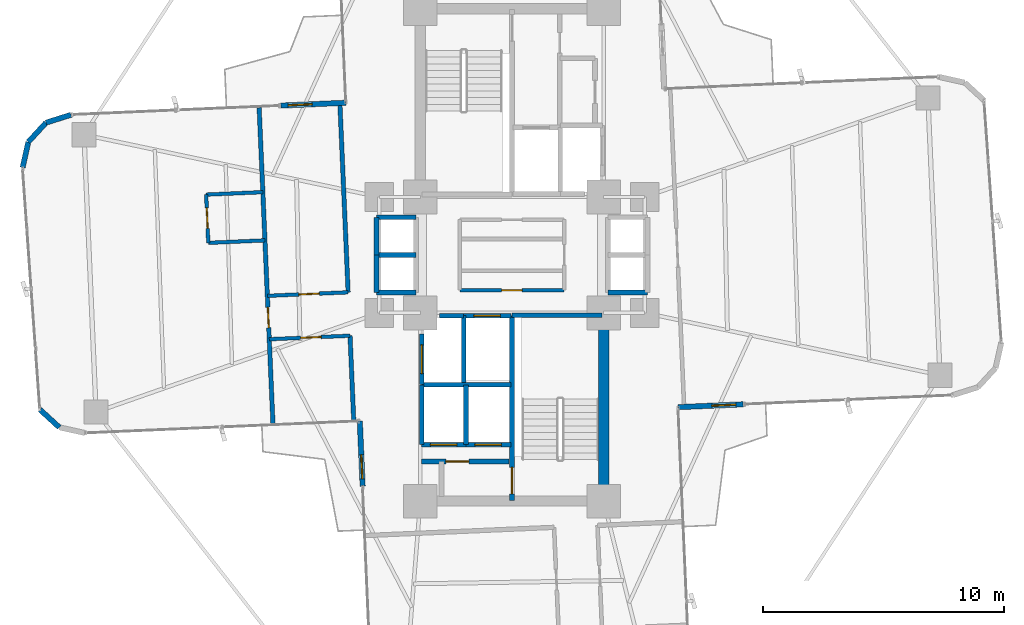
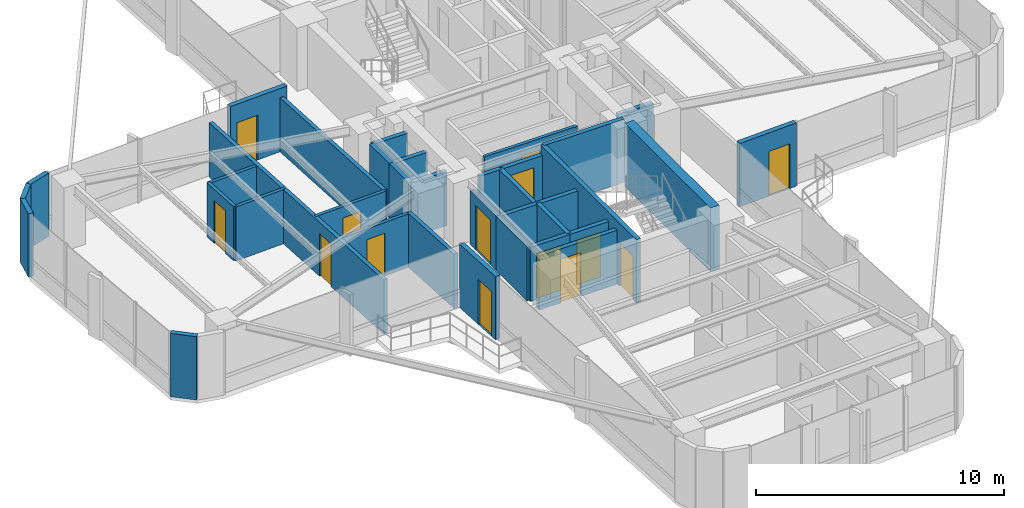
# One storey, part 23 of 26: 35 walls, 14 doors, 14 openings.
"""IFC4 building model written with IfcOpenShell, lengths in metres."""

import ifcopenshell
import ifcopenshell.guid

model = None  # the IFC model being written
_history = None  # IfcOwnerHistory: only IFC2X3 demands one
_inside = {}  # id of a spatial element -> (the spatial element, [elements in it])
_under = {}  # id of a project, library or spatial element -> (it, [spatial elements below it])
_declared = {}  # id of a project -> (the project, [libraries it declares])
_typed = {}  # id of a type object -> (the type object, [elements of that type])
_made_of = {}  # id of a material, layer set ... -> (it, [elements and type objects made of it])


def new_model(schema):
    """Start an empty IFC model of exactly this schema.

    Asked for "IFC4X3", IfcOpenShell would pick the latest addendum, in which some entities
    have other attributes; the version numbers below select the first issue.
    IFC2X3 requires an IfcOwnerHistory on every rooted entity: one is made here for all.
    """
    global model, _history
    if schema == "IFC4X3":
        model = ifcopenshell.file(schema_version=(4, 3, 0, 0))
    else:
        model = ifcopenshell.file(schema=schema)
    _inside.clear()
    _under.clear()
    _declared.clear()
    _typed.clear()
    _made_of.clear()
    _history = None
    if model.schema == "IFC2X3":
        org = make("IfcOrganization", Name="unknown")
        user = make(
            "IfcPersonAndOrganization",
            ThePerson=make("IfcPerson", FamilyName="unknown"),
            TheOrganization=org,
        )
        app = make(
            "IfcApplication",
            ApplicationDeveloper=org,
            Version="unknown",
            ApplicationFullName="unknown",
            ApplicationIdentifier="unknown",
        )
        _history = make(
            "IfcOwnerHistory",
            OwningUser=user,
            OwningApplication=app,
            ChangeAction="ADDED",
            CreationDate=0,
        )
    return model


def make(cls, **values):
    """One entity of the class cls with the attributes given. An attribute that is None is left unset."""
    return model.create_entity(
        cls, **{name: value for name, value in values.items() if value is not None}
    )


def rooted(cls, **values):
    """An entity with a GlobalId (a new one), such as an element, a storey or a relation."""
    return make(cls, GlobalId=ifcopenshell.guid.new(), OwnerHistory=_history, **values)


def si_unit(unit_type, name, prefix=None):
    """IfcSIUnit, for example si_unit("LENGTHUNIT", "METRE", prefix="MILLI")."""
    return make("IfcSIUnit", UnitType=unit_type, Prefix=prefix, Name=name)


def assignment(units):
    """IfcUnitAssignment: the units of a project."""
    return None if units is None else make("IfcUnitAssignment", Units=units)


def point(xyz):
    """IfcCartesianPoint."""
    return None if xyz is None else make("IfcCartesianPoint", Coordinates=xyz)


def direction(xyz):
    """IfcDirection."""
    return None if xyz is None else make("IfcDirection", DirectionRatios=xyz)


def frame(location, z_axis=None, x_axis=None):
    """IfcAxis2Placement3D, a coordinate frame: its origin and axes. An axis left out is left unset."""
    return make(
        "IfcAxis2Placement3D",
        Location=point(location),
        Axis=direction(z_axis),
        RefDirection=direction(x_axis),
    )


def frame_2d(location, x_axis=None):
    """IfcAxis2Placement2D, a coordinate frame in the plane: its origin and x axis."""
    return make(
        "IfcAxis2Placement2D", Location=point(location), RefDirection=direction(x_axis)
    )


def origin():
    """The frame at (0, 0, 0) with its axes left unset."""
    return frame((0.0, 0.0, 0.0))


def origin_2d():
    """The frame at (0, 0) in the plane with its x axis left unset."""
    return frame_2d((0.0, 0.0))


def place(relative_to, where):
    """IfcLocalPlacement: puts the frame where relative to a parent placement (None: the world)."""
    return make(
        "IfcLocalPlacement", PlacementRelTo=relative_to, RelativePlacement=where
    )


def context(
    kind, dimensions, precision=None, world=None, true_north=None, identifier=None
):
    """IfcGeometricRepresentationContext, for example the 3D "Model" context."""
    return make(
        "IfcGeometricRepresentationContext",
        ContextIdentifier=identifier,
        ContextType=kind,
        CoordinateSpaceDimension=dimensions,
        Precision=precision,
        WorldCoordinateSystem=world,
        TrueNorth=true_north,
    )


def subcontext(parent, identifier, kind, view, scale=None):
    """IfcGeometricRepresentationSubContext, for example "Body" below "Model"."""
    return make(
        "IfcGeometricRepresentationSubContext",
        ContextIdentifier=identifier,
        ContextType=kind,
        ParentContext=parent,
        TargetScale=scale,
        TargetView=view,
    )


def project(units=None, contexts=None):
    """IfcProject with its units and contexts."""
    return rooted(
        "IfcProject",
        Name="project",
        RepresentationContexts=contexts,
        UnitsInContext=assignment(units),
    )


def spatial(cls, under=None, at=None, **own):
    """A site, building, storey or space (cls), placed at a placement, below another one or the project."""
    s = rooted(cls, ObjectPlacement=at, **own)
    if under is not None:
        _under.setdefault(under.id(), (under, []))[1].append(s)
    return s


def profile(cls, at=None, kind="AREA", **sizes):
    """A parametric profile (cls). Its sizes go by their IFC names, for example OverallWidth=200.0."""
    return make(cls, ProfileType=kind, Position=at, **sizes)


def rectangle(**sizes):
    """IfcRectangleProfileDef."""
    return profile("IfcRectangleProfileDef", **sizes)


def extrude(swept, where, along, depth):
    """IfcExtrudedAreaSolid: the profile swept, set in the frame where, extruded along a direction by depth."""
    return make(
        "IfcExtrudedAreaSolid",
        SweptArea=swept,
        Position=where,
        ExtrudedDirection=direction(along),
        Depth=depth,
    )


def shape(context_of_items, identifier, shape_type, items):
    """IfcShapeRepresentation: the items that make up one representation, for example the "Body"."""
    return make(
        "IfcShapeRepresentation",
        ContextOfItems=context_of_items,
        RepresentationIdentifier=identifier,
        RepresentationType=shape_type,
        Items=items,
    )


def source(mapping_origin, context_of_items, identifier, shape_type, items):
    """IfcRepresentationMap: a shape defined once, which mapped items show again and again."""
    return make(
        "IfcRepresentationMap",
        MappingOrigin=mapping_origin,
        MappedRepresentation=shape(context_of_items, identifier, shape_type, items),
    )


def transform(
    local_origin,
    x_axis=None,
    y_axis=None,
    z_axis=None,
    scale=None,
    scale2=None,
    scale3=None,
    uniform=True,
):
    """IfcCartesianTransformationOperator3D, or its non-uniform kind. x_axis, y_axis, z_axis: its Axis1, 2, 3."""
    if uniform:
        return make(
            "IfcCartesianTransformationOperator3D",
            Axis1=direction(x_axis),
            Axis2=direction(y_axis),
            LocalOrigin=point(local_origin),
            Scale=scale,
            Axis3=direction(z_axis),
        )
    return make(
        "IfcCartesianTransformationOperator3DnonUniform",
        Axis1=direction(x_axis),
        Axis2=direction(y_axis),
        LocalOrigin=point(local_origin),
        Scale=scale,
        Axis3=direction(z_axis),
        Scale2=scale2,
        Scale3=scale3,
    )


def mapped(mapping_source, mapping_target):
    """IfcMappedItem: shows the shape of a source again, moved by a transform."""
    return make(
        "IfcMappedItem", MappingSource=mapping_source, MappingTarget=mapping_target
    )


def material(Name=None, Category=None):
    """IfcMaterial."""
    return make("IfcMaterial", Name=Name, Category=Category)


def layer(
    of_material, thickness, ventilated=None, Name=None, Category=None, Priority=None
):
    """IfcMaterialLayer: one layer of a wall or slab, of a material (None: an air gap)."""
    return make(
        "IfcMaterialLayer",
        Material=of_material,
        LayerThickness=thickness,
        IsVentilated=ventilated,
        Name=Name,
        Category=Category,
        Priority=Priority,
    )


def layer_set(layers, Name=None):
    """IfcMaterialLayerSet."""
    return make("IfcMaterialLayerSet", MaterialLayers=layers, LayerSetName=Name)


def made_of(thing, what):
    """Note that an element or type object is made of a material, layer set ...; save() writes the relation."""
    if what is not None:
        _made_of.setdefault(what.id(), (what, []))[1].append(thing)
    return thing


def type_object(cls, material=None, **own):
    """A type object (cls), such as IfcWallType, which elements share."""
    return made_of(rooted(cls, **own), material)


def element(
    cls,
    number,
    at=None,
    inside=None,
    cuts=None,
    type_object=None,
    material=None,
    context=None,
    identifier="Body",
    shape_type=None,
    held_by="IfcProductDefinitionShape",
    body=None,
    shapes=None,
    **own,
):
    """One element of the class cls, such as IfcWall. Its Tag is "e" and its number.

    at: its placement. inside: the storey or other place that contains it. cuts: it is an
    opening in that element (IfcRelVoidsElement). A single representation is given by context,
    identifier, shape_type and body (its items); several are given by shapes. held_by: the class
    of the entity that holds the representations. save() writes the other relations.
    """
    e = rooted(cls, Tag="e%d" % number, ObjectPlacement=at, **own)
    if body is not None:
        shapes = [shape(context, identifier, shape_type, body)]
    if shapes is not None:
        e.Representation = make(held_by, Representations=shapes)
    if inside is not None:
        _inside.setdefault(inside.id(), (inside, []))[1].append(e)
    if cuts is not None:
        rooted(
            "IfcRelVoidsElement", RelatingBuildingElement=cuts, RelatedOpeningElement=e
        )
    if type_object is not None:
        _typed.setdefault(type_object.id(), (type_object, []))[1].append(e)
    return made_of(e, material)


def fill(opening, filler):
    """IfcRelFillsElement: the door or window that sits in an opening."""
    return rooted(
        "IfcRelFillsElement",
        RelatingOpeningElement=opening,
        RelatedBuildingElement=filler,
    )


def aggregate(whole, parts):
    """IfcRelAggregates: a whole, such as a stair, and the parts it consists of."""
    return rooted("IfcRelAggregates", RelatingObject=whole, RelatedObjects=parts)


def save(model, path):
    """Write the relations noted so far, then the file.

    IfcRelAggregates (storeys below a building ...), IfcRelContainedInSpatialStructure (elements
    in a storey), IfcRelDefinesByType, IfcRelAssociatesMaterial and IfcRelDeclares: one each for
    every whole, place, type object, material and project.
    """
    for whole, parts in _under.values():
        aggregate(whole, parts)
    for where, things in _inside.values():
        rooted(
            "IfcRelContainedInSpatialStructure",
            RelatedElements=things,
            RelatingStructure=where,
        )
    for kind, things in _typed.values():
        rooted("IfcRelDefinesByType", RelatedObjects=things, RelatingType=kind)
    for what, things in _made_of.values():
        rooted("IfcRelAssociatesMaterial", RelatedObjects=things, RelatingMaterial=what)
    for by, libraries in _declared.values():
        rooted("IfcRelDeclares", RelatingContext=by, RelatedDefinitions=libraries)
    model.write(path)


model = new_model("IFC4")

# Units and contexts
model_context = context("Model", 3, precision=1e-05, world=origin(), true_north=direction((0.0, 1.0)))
body_context = subcontext(model_context, "Body", "Model", "MODEL_VIEW")
ifc_project = project(units=[si_unit("LENGTHUNIT", "METRE"), si_unit("AREAUNIT", "SQUARE_METRE"), si_unit("VOLUMEUNIT", "CUBIC_METRE"), si_unit("PLANEANGLEUNIT", "RADIAN"), si_unit("MASSUNIT", "GRAM", prefix="KILO")], contexts=[model_context])

# Site, building, storey
site_placement = place(None, origin())
site = spatial("IfcSite", under=ifc_project, at=site_placement, CompositionType="ELEMENT")
building_placement = place(site_placement, origin())
building = spatial("IfcBuilding", under=site, at=building_placement, Name="Sahyath Konkavel Grand Hotel", CompositionType="ELEMENT")
storey_placement = place(building_placement, frame((0.0, 0.0, 96.89990234375)))
storey = spatial("IfcBuildingStorey", under=building, at=storey_placement, Name="L26", CompositionType="ELEMENT", Elevation=96.89990234375)

# Wall
ifc_material_1 = material(Name="Concrete C50/60", Category="concrete")
ifc_layer_1 = layer(ifc_material_1, 0.419921875)
ifc_layer_set_1 = layer_set([ifc_layer_1], Name="Concrete C50/60")
wall_type_1 = type_object("IfcWallType", Name="CWALL-420", PredefinedType="SHEAR", material=ifc_layer_set_1)
wall_1_placement = place(storey_placement, frame((3.800048828125, -9.75, 0.0), z_axis=(0.0, 0.0, 1.0), x_axis=(0.0, 1.0, 0.0)))
element("IfcWall", 1, at=wall_1_placement, inside=storey, type_object=wall_type_1, Name="L26 South Core Shear Wall E", PredefinedType="SHEAR", context=body_context, shape_type="SweptSolid", body=[
    extrude(rectangle(XDim=6.89990234375, YDim=0.419921875, at=frame_2d((3.449951171875, 0.0))), origin(), (0.0, 0.0, 1.0), 3.110107421875),
])

# Wall, opening, door
ifc_material_2 = material(Name="Warm Buff Sandstone Insulated Concrete C40/50", Category="masonry")
ifc_layer_2 = layer(ifc_material_2, 0.219970703125)
ifc_layer_set_2 = layer_set([ifc_layer_2], Name="Warm Buff Sandstone Insulated Concrete C40/50")
wall_type_2 = type_object("IfcWallType", Name="WLL-BALC-THRESH", PredefinedType="STANDARD", material=ifc_layer_set_2)
wall_2_placement = place(storey_placement, frame((6.881591796875, -6.305908203125, 0.0), z_axis=(0.0, 0.0, 1.0), x_axis=(0.999045894436, 0.043672655174, 0.0)))
wall_2 = element("IfcWall", 2, at=wall_2_placement, inside=storey, type_object=wall_type_2, Name="L26 Winter-Garden Threshold Wall 0", PredefinedType="STANDARD", context=body_context, shape_type="SweptSolid", body=[
    extrude(rectangle(XDim=2.7001953125, YDim=0.219970703125, at=frame_2d((1.35009765625, 0.0))), origin(), (0.0, 0.0, 1.0), 3.110107421875),
])
opening_1_placement = place(wall_2_placement, frame((1.39990234375, 0.0, 0.0)))
opening_1 = element("IfcOpeningElement", 3, at=opening_1_placement, cuts=wall_2, Name="Opening D-TR1", PredefinedType="OPENING", context=body_context, shape_type="SweptSolid", body=[
    extrude(rectangle(XDim=1.0, YDim=2.199951171875, at=frame_2d((0.5, 1.10009765625))), frame((0.0, 0.1201171875, 0.0), z_axis=(0.0, -1.0, 0.0), x_axis=(1.0, 0.0, 0.0)), (0.0, 0.0, 1.0), 0.239990234375),
])
ifc_material_3 = material(Name="Anodised Bronze Aluminium & Low-E Glazing", Category="aluminium")
door_type_1 = type_object("IfcDoorType", Name="DR-TERRACE-1000", OperationType="NOTDEFINED", PredefinedType="DOOR", material=ifc_material_3)
shared_shape_1 = source(origin(), body_context, "Body", "SweptSolid", [
    extrude(rectangle(XDim=1.0, YDim=0.050048828125, at=origin_2d()), origin(), (0.0, 0.0, 1.0), 2.199951171875),
])
door_1_placement = place(opening_1_placement, frame((0.5, 0.0, 0.0)))
door_1 = element("IfcDoor", 4, at=door_1_placement, inside=storey, type_object=door_type_1, Name="L26 Winter-Garden Terrace Door 0", OperationType="SINGLE_SWING_LEFT", OverallHeight=2.199951171875, OverallWidth=1.0, PredefinedType="DOOR", context=body_context, shape_type="MappedRepresentation", body=[
    mapped(shared_shape_1, transform((0.0, 0.0, 0.0), scale=1.0)),
])
fill(opening_1, door_1)

wall_3_placement = place(storey_placement, frame((-6.881591796875, 6.305908203125, 0.0), z_axis=(0.0, 0.0, 1.0), x_axis=(-0.999045894436, -0.043672655174, 0.0)))
wall_3 = element("IfcWall", 5, at=wall_3_placement, inside=storey, type_object=wall_type_2, Name="L26 Winter-Garden Threshold Wall 16", PredefinedType="STANDARD", context=body_context, shape_type="SweptSolid", body=[
    extrude(rectangle(XDim=2.7001953125, YDim=0.219970703125, at=frame_2d((1.35009765625, 0.0))), origin(), (0.0, 0.0, 1.0), 3.110107421875),
])
opening_2_placement = place(wall_3_placement, frame((1.39990234375, 0.0, 0.0)))
opening_2 = element("IfcOpeningElement", 6, at=opening_2_placement, cuts=wall_3, Name="Opening D-TR1", PredefinedType="OPENING", context=body_context, shape_type="SweptSolid", body=[
    extrude(rectangle(XDim=1.0, YDim=2.199951171875, at=frame_2d((0.5, 1.10009765625))), frame((0.0, 0.1201171875, 0.0), z_axis=(0.0, -1.0, 0.0), x_axis=(1.0, 0.0, 0.0)), (0.0, 0.0, 1.0), 0.239990234375),
])
door_2_placement = place(opening_2_placement, frame((0.5, 0.0, 0.0)))
door_2 = element("IfcDoor", 7, at=door_2_placement, inside=storey, type_object=door_type_1, Name="L26 Winter-Garden Terrace Door 16", OperationType="SINGLE_SWING_LEFT", OverallHeight=2.199951171875, OverallWidth=1.0, PredefinedType="DOOR", context=body_context, shape_type="MappedRepresentation", body=[
    mapped(shared_shape_1, transform((0.0, 0.0, 0.0), scale=1.0)),
])
fill(opening_2, door_2)

# Walls
for number, where, z_axis, x_axis, name in (
    (8, (-18.270751953125, 5.80859375, 0.0), (0.0, 0.0, 1.0), (-0.953721713582, -0.30069069331, 0.0), "L26 Rounded Corner Sandstone Pier 17"),
    (9, (-19.3076171875, 5.481689453125, 0.0), (0.0, 0.0, 1.0), (-0.675551721847, -0.737312600672, 0.0), "L26 Rounded Corner Sandstone Pier 18"),
):
    element("IfcWall", number, at=place(storey_placement, frame(where, z_axis=z_axis, x_axis=x_axis)), inside=storey, type_object=wall_type_2, Name=name, PredefinedType="STANDARD", context=body_context, shape_type="SweptSolid", body=[
        extrude(rectangle(XDim=1.087158203125, YDim=0.219970703125, at=frame_2d((0.54345703125, 0.0))), origin(), (0.0, 0.0, 1.0), 3.110107421875),
    ])
for number, where, z_axis, x_axis, name in (
    (10, (-20.0419921875, 4.68017578125, 0.0), (0.0, 0.0, 1.0), (-0.216288323511, -0.976329535102, 0.0), "L26 Rounded Corner Sandstone Pier 19"),
    (11, (-19.5576171875, -6.4091796875, 0.0), (0.0, 0.0, 1.0), (0.737210081318, -0.675663596772, 0.0), "L26 Rounded Corner Sandstone Pier 21"),
):
    element("IfcWall", number, at=place(storey_placement, frame(where, z_axis=z_axis, x_axis=x_axis)), inside=storey, type_object=wall_type_2, Name=name, PredefinedType="STANDARD", context=body_context, shape_type="SweptSolid", body=[
        extrude(rectangle(XDim=1.0869140625, YDim=0.219970703125, at=frame_2d((0.54345703125, 0.0))), origin(), (0.0, 0.0, 1.0), 3.110107421875),
    ])

# Wall, opening, door
wall_4_placement = place(storey_placement, frame((-6.305908203125, -6.881591796875, 0.0), z_axis=(0.0, 0.0, 1.0), x_axis=(0.043672655174, -0.999045894436, 0.0)))
wall_4 = element("IfcWall", 12, at=wall_4_placement, inside=storey, type_object=wall_type_2, Name="L26 Winter-Garden Threshold Wall 24", PredefinedType="STANDARD", context=body_context, shape_type="SweptSolid", body=[
    extrude(rectangle(XDim=2.7001953125, YDim=0.219970703125, at=frame_2d((1.35009765625, 0.0))), origin(), (0.0, 0.0, 1.0), 3.110107421875),
])
opening_3_placement = place(wall_4_placement, frame((1.39990234375, 0.0, 0.0)))
opening_3 = element("IfcOpeningElement", 13, at=opening_3_placement, cuts=wall_4, Name="Opening D-TR1", PredefinedType="OPENING", context=body_context, shape_type="SweptSolid", body=[
    extrude(rectangle(XDim=1.0, YDim=2.199951171875, at=frame_2d((0.5, 1.10009765625))), frame((0.0, 0.1201171875, 0.0), z_axis=(0.0, -1.0, 0.0), x_axis=(1.0, 0.0, 0.0)), (0.0, 0.0, 1.0), 0.239990234375),
])
door_3_placement = place(opening_3_placement, frame((0.5, 0.0, 0.0)))
door_3 = element("IfcDoor", 14, at=door_3_placement, inside=storey, type_object=door_type_1, Name="L26 Winter-Garden Terrace Door 24", OperationType="SINGLE_SWING_LEFT", OverallHeight=2.199951171875, OverallWidth=1.0, PredefinedType="DOOR", context=body_context, shape_type="MappedRepresentation", body=[
    mapped(shared_shape_1, transform((0.0, 0.0, 0.0), scale=1.0)),
])
fill(opening_3, door_3)

ifc_material_4 = material(Name="Concrete C40/50", Category="concrete")
ifc_layer_3 = layer(ifc_material_4, 0.199951171875)
ifc_layer_set_3 = layer_set([ifc_layer_3], Name="Concrete C40/50")
wall_type_3 = type_object("IfcWallType", Name="WLL-CORE-200", PredefinedType="SOLIDWALL", material=ifc_layer_set_3)
wall_5_placement = place(storey_placement, frame((0.0, -10.179931640625, 0.0), z_axis=(0.0, 0.0, 1.0), x_axis=(0.0, 1.0, 0.0)))
wall_5 = element("IfcWall", 15, at=wall_5_placement, inside=storey, type_object=wall_type_3, Name="L26 Stair ST-2 Shaft Wall W", PredefinedType="SOLIDWALL", context=body_context, shape_type="SweptSolid", body=[
    extrude(rectangle(XDim=7.679931640625, YDim=0.199951171875, at=frame_2d((3.83984375, 0.0))), origin(), (0.0, 0.0, 1.0), 3.110107421875),
])
opening_4_placement = place(wall_5_placement, frame((0.280029296875, 0.0, 0.0)))
opening_4 = element("IfcOpeningElement", 16, at=opening_4_placement, cuts=wall_5, Name="Opening D-F12B", PredefinedType="OPENING", context=body_context, shape_type="SweptSolid", body=[
    extrude(rectangle(XDim=1.10009765625, YDim=2.14990234375, at=frame_2d((0.550048828125, 1.074951171875))), frame((0.0, 0.10986328125, 0.0), z_axis=(0.0, -1.0, 0.0), x_axis=(1.0, 0.0, 0.0)), (0.0, 0.0, 1.0), 0.219970703125),
])
ifc_material_5 = material(Name="Steel E350 Smokeproof Fire Door", Category="steel")
door_type_2 = type_object("IfcDoorType", Name="DR-FD120-1100", OperationType="NOTDEFINED", PredefinedType="DOOR", material=ifc_material_5)
shared_shape_2 = source(origin(), body_context, "Body", "SweptSolid", [
    extrude(rectangle(XDim=1.10009765625, YDim=0.050048828125, at=origin_2d()), origin(), (0.0, 0.0, 1.0), 2.14990234375),
])
door_4_placement = place(opening_4_placement, frame((0.550048828125, 0.0, 0.0)))
door_4 = element("IfcDoor", 17, at=door_4_placement, inside=storey, type_object=door_type_2, Name="L26 Stair ST-2 Fire Door", OperationType="SINGLE_SWING_LEFT", OverallHeight=2.14990234375, OverallWidth=1.10009765625, PredefinedType="DOOR", context=body_context, shape_type="MappedRepresentation", body=[
    mapped(shared_shape_2, transform((0.0, 0.0, 0.0), scale=1.0)),
])
fill(opening_4, door_4)

# Walls
wall_6_placement = place(storey_placement, frame((0.0, -2.5, 0.0), z_axis=(0.0, 0.0, 1.0), x_axis=(1.0, 0.0, 0.0)))
element("IfcWall", 18, at=wall_6_placement, inside=storey, type_object=wall_type_3, Name="L26 Stair ST-2 Shaft Wall N", PredefinedType="SOLIDWALL", context=body_context, shape_type="SweptSolid", body=[
    extrude(rectangle(XDim=3.719970703125, YDim=0.199951171875, at=frame_2d((1.85986328125, 0.0))), origin(), (0.0, 0.0, 1.0), 3.110107421875),
])
wall_7_placement = place(storey_placement, frame((-2.0, -5.280029296875, 0.0), z_axis=(0.0, 0.0, 1.0), x_axis=(0.0, 1.0, 0.0)))
element("IfcWall", 19, at=wall_7_placement, inside=storey, type_object=wall_type_3, Name="L26 Partition SH-FFL2-W", PredefinedType="SOLIDWALL", context=body_context, shape_type="SweptSolid", body=[
    extrude(rectangle(XDim=2.780029296875, YDim=0.199951171875, at=frame_2d((1.39013671875, 0.0))), origin(), (0.0, 0.0, 1.0), 2.66015625),
])

# Wall, opening, door
wall_8_placement = place(storey_placement, frame((-2.0, -2.52001953125, 0.0), z_axis=(0.0, 0.0, 1.0), x_axis=(1.0, 0.0, 0.0)))
wall_8 = element("IfcWall", 20, at=wall_8_placement, inside=storey, type_object=wall_type_3, Name="L26 Partition SH-FFL2-N", PredefinedType="SOLIDWALL", context=body_context, shape_type="SweptSolid", body=[
    extrude(rectangle(XDim=1.949951171875, YDim=0.199951171875, at=frame_2d((0.97509765625, 0.0))), origin(), (0.0, 0.0, 1.0), 2.66015625),
])
opening_5_placement = place(wall_8_placement, frame((0.419921875, 0.0, 0.0)))
opening_5 = element("IfcOpeningElement", 21, at=opening_5_placement, cuts=wall_8, Name="Opening LD-11", PredefinedType="OPENING", context=body_context, shape_type="SweptSolid", body=[
    extrude(rectangle(XDim=1.10009765625, YDim=2.199951171875, at=frame_2d((0.550048828125, 1.10009765625))), frame((0.0, 0.10986328125, 0.0), z_axis=(0.0, -1.0, 0.0), x_axis=(1.0, 0.0, 0.0)), (0.0, 0.0, 1.0), 0.219970703125),
])
ifc_material_6 = material(Name="Bronze Lift Landing Door 1100")
door_type_3 = type_object("IfcDoorType", Name="DR-LIFT-1100", OperationType="DOUBLE_DOOR_SLIDING", PredefinedType="DOOR", material=ifc_material_6)
shared_shape_3 = source(origin(), body_context, "Body", "SweptSolid", [
    extrude(rectangle(XDim=1.10009765625, YDim=0.050048828125, at=origin_2d()), origin(), (0.0, 0.0, 1.0), 2.199951171875),
])
door_5_placement = place(opening_5_placement, frame((0.550048828125, 0.0, 0.0)))
door_5 = element("IfcDoor", 22, at=door_5_placement, inside=storey, type_object=door_type_3, Name="L26 Lift FFL-2 Landing Door", OperationType="DOUBLE_DOOR_SLIDING", OverallHeight=2.199951171875, OverallWidth=1.10009765625, PredefinedType="DOOR", context=body_context, shape_type="MappedRepresentation", body=[
    mapped(shared_shape_3, transform((0.0, 0.0, 0.0), scale=1.0)),
])
fill(opening_5, door_5)

# Wall
wall_9_placement = place(storey_placement, frame((-3.0, -2.52001953125, 0.0), z_axis=(0.0, 0.0, 1.0), x_axis=(1.0, 0.0, 0.0)))
element("IfcWall", 23, at=wall_9_placement, inside=storey, type_object=wall_type_3, Name="L26 Partition SH-SVL2-N", PredefinedType="SOLIDWALL", context=body_context, shape_type="SweptSolid", body=[
    extrude(rectangle(XDim=1.0, YDim=0.199951171875, at=frame_2d((0.5, 0.0))), origin(), (0.0, 0.0, 1.0), 2.66015625),
])

# Wall, opening, door
wall_10_placement = place(storey_placement, frame((-3.739990234375, -5.360107421875, 0.0), z_axis=(0.0, 0.0, 1.0), x_axis=(0.0, 1.0, 0.0)))
wall_10 = element("IfcWall", 24, at=wall_10_placement, inside=storey, type_object=wall_type_3, Name="L26 Partition SH-SVL2-W", PredefinedType="SOLIDWALL", context=body_context, shape_type="SweptSolid", body=[
    extrude(rectangle(XDim=2.080078125, YDim=0.199951171875, at=frame_2d((1.0400390625, 0.0))), origin(), (0.0, 0.0, 1.0), 2.66015625),
])
opening_6_placement = place(wall_10_placement, frame((0.43994140625, 0.0, 0.0)))
opening_6 = element("IfcOpeningElement", 25, at=opening_6_placement, cuts=wall_10, Name="Opening LD-12", PredefinedType="OPENING", context=body_context, shape_type="SweptSolid", body=[
    extrude(rectangle(XDim=1.199951171875, YDim=2.199951171875, at=frame_2d((0.60009765625, 1.10009765625))), frame((0.0, 0.10986328125, 0.0), z_axis=(0.0, -1.0, 0.0), x_axis=(1.0, 0.0, 0.0)), (0.0, 0.0, 1.0), 0.219970703125),
])
ifc_material_7 = material(Name="Stainless Steel Lift Landing Door 1200", Category="steel")
door_type_4 = type_object("IfcDoorType", Name="DR-LIFT-1200", OperationType="DOUBLE_DOOR_SLIDING", PredefinedType="DOOR", material=ifc_material_7)
shared_shape_4 = source(origin(), body_context, "Body", "SweptSolid", [
    extrude(rectangle(XDim=1.199951171875, YDim=0.050048828125, at=origin_2d()), origin(), (0.0, 0.0, 1.0), 2.199951171875),
])
door_6_placement = place(opening_6_placement, frame((0.60009765625, 0.0, 0.0)))
door_6 = element("IfcDoor", 26, at=door_6_placement, inside=storey, type_object=door_type_4, Name="L26 Service Lift SVL-2 Landing Door", OperationType="DOUBLE_DOOR_SLIDING", OverallHeight=2.199951171875, OverallWidth=1.199951171875, PredefinedType="DOOR", context=body_context, shape_type="MappedRepresentation", body=[
    mapped(shared_shape_4, transform((0.0, 0.0, 0.0), scale=1.0)),
])
fill(opening_6, door_6)

# Wall
wall_11_placement = place(storey_placement, frame((-3.739990234375, -7.860107421875, 0.0), z_axis=(0.0, 0.0, 1.0), x_axis=(0.0, 1.0, 0.0)))
element("IfcWall", 27, at=wall_11_placement, inside=storey, type_object=wall_type_3, Name="L26 Partition SH-PL3-W", PredefinedType="SOLIDWALL", context=body_context, shape_type="SweptSolid", body=[
    extrude(rectangle(XDim=2.480224609375, YDim=0.199951171875, at=frame_2d((1.240234375, 0.0))), origin(), (0.0, 0.0, 1.0), 2.66015625),
])

# Wall, opening, door
wall_12_placement = place(storey_placement, frame((-3.739990234375, -7.860107421875, 0.0), z_axis=(0.0, 0.0, 1.0), x_axis=(1.0, 0.0, 0.0)))
wall_12 = element("IfcWall", 28, at=wall_12_placement, inside=storey, type_object=wall_type_3, Name="L26 Partition SH-PL3-S", PredefinedType="SOLIDWALL", context=body_context, shape_type="SweptSolid", body=[
    extrude(rectangle(XDim=1.840087890625, YDim=0.199951171875, at=frame_2d((0.919921875, 0.0))), origin(), (0.0, 0.0, 1.0), 2.66015625),
])
opening_7_placement = place(wall_12_placement, frame((0.360107421875, 0.0, 0.0)))
opening_7 = element("IfcOpeningElement", 29, at=opening_7_placement, cuts=wall_12, Name="Opening LD-11", PredefinedType="OPENING", context=body_context, shape_type="SweptSolid", body=[
    extrude(rectangle(XDim=1.10009765625, YDim=2.199951171875, at=frame_2d((0.550048828125, 1.10009765625))), frame((0.0, 0.10986328125, 0.0), z_axis=(0.0, -1.0, 0.0), x_axis=(1.0, 0.0, 0.0)), (0.0, 0.0, 1.0), 0.219970703125),
])
door_7_placement = place(opening_7_placement, frame((0.550048828125, 0.0, 0.0)))
door_7 = element("IfcDoor", 30, at=door_7_placement, inside=storey, type_object=door_type_3, Name="L26 Passenger Lift PL-3 Landing Door", OperationType="DOUBLE_DOOR_SLIDING", OverallHeight=2.199951171875, OverallWidth=1.10009765625, PredefinedType="DOOR", context=body_context, shape_type="MappedRepresentation", body=[
    mapped(shared_shape_3, transform((0.0, 0.0, 0.0), scale=1.0)),
])
fill(opening_7, door_7)

# Walls
wall_13_placement = place(storey_placement, frame((-3.739990234375, -5.3798828125, 0.0), z_axis=(0.0, 0.0, 1.0), x_axis=(1.0, 0.0, 0.0)))
element("IfcWall", 31, at=wall_13_placement, inside=storey, type_object=wall_type_3, Name="L26 Partition SH-PL34-N", PredefinedType="SOLIDWALL", context=body_context, shape_type="SweptSolid", body=[
    extrude(rectangle(XDim=3.68994140625, YDim=0.199951171875, at=frame_2d((1.844970703125, 0.0))), origin(), (0.0, 0.0, 1.0), 2.66015625),
])
wall_14_placement = place(storey_placement, frame((-1.89990234375, -7.860107421875, 0.0), z_axis=(0.0, 0.0, 1.0), x_axis=(0.0, 1.0, 0.0)))
element("IfcWall", 32, at=wall_14_placement, inside=storey, type_object=wall_type_3, Name="L26 Partition SH-PL34-M", PredefinedType="SOLIDWALL", context=body_context, shape_type="SweptSolid", body=[
    extrude(rectangle(XDim=2.480224609375, YDim=0.199951171875, at=frame_2d((1.240234375, 0.0))), origin(), (0.0, 0.0, 1.0), 2.66015625),
])

# Wall, opening, door
wall_15_placement = place(storey_placement, frame((-1.89990234375, -7.860107421875, 0.0), z_axis=(0.0, 0.0, 1.0), x_axis=(1.0, 0.0, 0.0)))
wall_15 = element("IfcWall", 33, at=wall_15_placement, inside=storey, type_object=wall_type_3, Name="L26 Partition SH-PL4-S", PredefinedType="SOLIDWALL", context=body_context, shape_type="SweptSolid", body=[
    extrude(rectangle(XDim=1.849853515625, YDim=0.199951171875, at=frame_2d((0.9248046875, 0.0))), origin(), (0.0, 0.0, 1.0), 2.66015625),
])
opening_8_placement = place(wall_15_placement, frame((0.360107421875, 0.0, 0.0)))
opening_8 = element("IfcOpeningElement", 34, at=opening_8_placement, cuts=wall_15, Name="Opening LD-11", PredefinedType="OPENING", context=body_context, shape_type="SweptSolid", body=[
    extrude(rectangle(XDim=1.10009765625, YDim=2.199951171875, at=frame_2d((0.550048828125, 1.10009765625))), frame((0.0, 0.10986328125, 0.0), z_axis=(0.0, -1.0, 0.0), x_axis=(1.0, 0.0, 0.0)), (0.0, 0.0, 1.0), 0.219970703125),
])
door_8_placement = place(opening_8_placement, frame((0.550048828125, 0.0, 0.0)))
door_8 = element("IfcDoor", 35, at=door_8_placement, inside=storey, type_object=door_type_3, Name="L26 Passenger Lift PL-4 Landing Door", OperationType="DOUBLE_DOOR_SLIDING", OverallHeight=2.199951171875, OverallWidth=1.10009765625, PredefinedType="DOOR", context=body_context, shape_type="MappedRepresentation", body=[
    mapped(shared_shape_3, transform((0.0, 0.0, 0.0), scale=1.0)),
])
fill(opening_8, door_8)

# Walls
for number, where, z_axis, x_axis, name in (
    (36, (3.97998046875, -1.56005859375, 0.0), (0.0, 0.0, 1.0), (1.0, 0.0, 0.0), "L26 Partition SH-PL56-S"),
    (37, (-5.6201171875, 1.56005859375, 0.0), (0.0, 0.0, 1.0), (1.0, 0.0, 0.0), "L26 Partition SH-SL12-N"),
    (38, (-5.6201171875, -1.56005859375, 0.0), (0.0, 0.0, 1.0), (1.0, 0.0, 0.0), "L26 Partition SH-SL12-S"),
    (39, (-5.6201171875, 0.0, 0.0), (0.0, 0.0, 1.0), (1.0, 0.0, 0.0), "L26 Partition SH-SL12-M"),
):
    element("IfcWall", number, at=place(storey_placement, frame(where, z_axis=z_axis, x_axis=x_axis)), inside=storey, type_object=wall_type_3, Name=name, PredefinedType="SOLIDWALL", context=body_context, shape_type="SweptSolid", body=[
        extrude(rectangle(XDim=1.64013671875, YDim=0.199951171875, at=frame_2d((0.820068359375, 0.0))), origin(), (0.0, 0.0, 1.0), 2.66015625),
    ])
for number, where, z_axis, x_axis, name in (
    (40, (-5.6201171875, 0.0, 0.0), (0.0, 0.0, 1.0), (0.0, 1.0, 0.0), "L26 Partition SH-SL1-W"),
    (41, (-5.6201171875, -1.56005859375, 0.0), (0.0, 0.0, 1.0), (0.0, 1.0, 0.0), "L26 Partition SH-SL2-W"),
):
    element("IfcWall", number, at=place(storey_placement, frame(where, z_axis=z_axis, x_axis=x_axis)), inside=storey, type_object=wall_type_3, Name=name, PredefinedType="SOLIDWALL", context=body_context, shape_type="SweptSolid", body=[
        extrude(rectangle(XDim=1.56005859375, YDim=0.199951171875, at=frame_2d((0.780029296875, 0.0))), origin(), (0.0, 0.0, 1.0), 2.66015625),
    ])

# Wall, opening, door
wall_16_placement = place(storey_placement, frame((-3.739990234375, -8.56005859375, 0.0), z_axis=(0.0, 0.0, 1.0), x_axis=(1.0, 0.0, 0.0)))
wall_16 = element("IfcWall", 42, at=wall_16_placement, inside=storey, type_object=wall_type_3, Name="L26 South FF Lobby Separation Wall", PredefinedType="SOLIDWALL", context=body_context, shape_type="SweptSolid", body=[
    extrude(rectangle(XDim=3.619873046875, YDim=0.199951171875, at=frame_2d((1.81005859375, 0.0))), origin(), (0.0, 0.0, 1.0), 2.66015625),
])
opening_9_placement = place(wall_16_placement, frame((1.0, 0.0, 0.0)))
opening_9 = element("IfcOpeningElement", 43, at=opening_9_placement, cuts=wall_16, Name="Opening D-F12C", PredefinedType="OPENING", context=body_context, shape_type="SweptSolid", body=[
    extrude(rectangle(XDim=0.949951171875, YDim=2.14990234375, at=frame_2d((0.47509765625, 1.074951171875))), frame((0.0, 0.10986328125, 0.0), z_axis=(0.0, -1.0, 0.0), x_axis=(1.0, 0.0, 0.0)), (0.0, 0.0, 1.0), 0.219970703125),
])
ifc_material_8 = material(Name="Steel E350 Plant Fire Door", Category="steel")
door_type_5 = type_object("IfcDoorType", Name="DR-FD120-950", OperationType="NOTDEFINED", PredefinedType="DOOR", material=ifc_material_8)
shared_shape_5 = source(origin(), body_context, "Body", "SweptSolid", [
    extrude(rectangle(XDim=0.949951171875, YDim=0.050048828125, at=origin_2d()), origin(), (0.0, 0.0, 1.0), 2.14990234375),
])
door_9_placement = place(opening_9_placement, frame((0.47509765625, 0.0, 0.0)))
door_9 = element("IfcDoor", 44, at=door_9_placement, inside=storey, type_object=door_type_5, Name="L26 South Firefighting Lobby Door", OperationType="SINGLE_SWING_RIGHT", OverallHeight=2.14990234375, OverallWidth=0.949951171875, PredefinedType="DOOR", context=body_context, shape_type="MappedRepresentation", body=[
    mapped(shared_shape_5, transform((0.0, 0.0, 0.0), scale=1.0)),
])
fill(opening_9, door_9)

# Walls
ifc_material_9 = material(Name="Twin-Stud Acoustic Gypsum Plasterboard Partition")
ifc_layer_4 = layer(ifc_material_9, 0.179931640625)
ifc_layer_set_4 = layer_set([ifc_layer_4], Name="Twin-Stud Acoustic Gypsum Plasterboard Partition")
wall_type_4 = type_object("IfcWallType", Name="WLL-DEMISE-180", PredefinedType="PARTITIONING", material=ifc_layer_set_4)
wall_17_placement = place(storey_placement, frame((-6.71044921875, -3.345947265625, 0.0), z_axis=(0.0, 0.0, 1.0), x_axis=(0.043597663116, -0.999049169846, 0.0)))
element("IfcWall", 45, at=wall_17_placement, inside=storey, type_object=wall_type_4, Name="L26 Partition W-INL", PredefinedType="PARTITIONING", context=body_context, shape_type="SweptSolid", body=[
    extrude(rectangle(XDim=3.5, YDim=0.179931640625, at=frame_2d((1.75, 0.0))), origin(), (0.0, 0.0, 1.0), 2.66015625),
])
wall_18_placement = place(storey_placement, frame((-7.129150390625, 6.2451171875, 0.0), z_axis=(0.0, 0.0, 1.0), x_axis=(0.043600217373, -0.999049058378, 0.0)))
element("IfcWall", 46, at=wall_18_placement, inside=storey, type_object=wall_type_4, Name="L26 Partition W-INR", PredefinedType="PARTITIONING", context=body_context, shape_type="SweptSolid", body=[
    extrude(rectangle(XDim=7.800048828125, YDim=0.179931640625, at=frame_2d((3.89990234375, 0.0))), origin(), (0.0, 0.0, 1.0), 2.66015625),
])

# Wall, opening, door
wall_19_placement = place(storey_placement, frame((-10.47607421875, 6.098876953125, 0.0), z_axis=(0.0, 0.0, 1.0), x_axis=(0.043628089563, -0.999047841598, 0.0)))
wall_19 = element("IfcWall", 47, at=wall_19_placement, inside=storey, type_object=wall_type_4, Name="L26 Partition W-WTIP-END", PredefinedType="PARTITIONING", context=body_context, shape_type="SweptSolid", body=[
    extrude(rectangle(XDim=13.10009765625, YDim=0.179931640625, at=frame_2d((6.550048828125, 0.0))), origin(), (0.0, 0.0, 1.0), 2.66015625),
])
opening_10_placement = place(wall_19_placement, frame((8.27490234375, 0.0, 0.0)))
opening_10 = element("IfcOpeningElement", 48, at=opening_10_placement, cuts=wall_19, Name="Opening D-F06D", PredefinedType="OPENING", context=body_context, shape_type="SweptSolid", body=[
    extrude(rectangle(XDim=0.85009765625, YDim=2.10009765625, at=frame_2d((0.425048828125, 1.050048828125))), frame((0.0, 0.10009765625, 0.0), z_axis=(0.0, -1.0, 0.0), x_axis=(1.0, 0.0, 0.0)), (0.0, 0.0, 1.0), 0.199951171875),
])
ifc_material_10 = material(Name="Fire-Rated Shaft Access Door")
door_type_6 = type_object("IfcDoorType", Name="DR-FD60-850", OperationType="NOTDEFINED", PredefinedType="DOOR", material=ifc_material_10)
shared_shape_6 = source(origin(), body_context, "Body", "SweptSolid", [
    extrude(rectangle(XDim=0.85009765625, YDim=0.050048828125, at=origin_2d()), origin(), (0.0, 0.0, 1.0), 2.10009765625),
])
door_10_placement = place(opening_10_placement, frame((0.425048828125, 0.0, 0.0)))
door_10 = element("IfcDoor", 49, at=door_10_placement, inside=storey, type_object=door_type_6, Name="L26 Door W-WTIP-ED", OperationType="SINGLE_SWING_RIGHT", OverallHeight=2.10009765625, OverallWidth=0.85009765625, PredefinedType="DOOR", context=body_context, shape_type="MappedRepresentation", body=[
    mapped(shared_shape_6, transform((0.0, 0.0, 0.0), scale=1.0)),
])
fill(opening_10, door_10)

ifc_material_11 = material(Name="Fire-Rated Gypsum Plasterboard Partition")
ifc_layer_5 = layer(ifc_material_11, 0.14990234375)
ifc_layer_set_5 = layer_set([ifc_layer_5], Name="Fire-Rated Gypsum Plasterboard Partition")
wall_type_5 = type_object("IfcWallType", Name="WLL-PART-150", PredefinedType="PARTITIONING", material=ifc_layer_set_5)
wall_20_placement = place(storey_placement, frame((-2.159912109375, -1.4599609375, 0.0), z_axis=(0.0, 0.0, 1.0), x_axis=(1.0, 0.0, 0.0)))
wall_20 = element("IfcWall", 50, at=wall_20_placement, inside=storey, type_object=wall_type_5, Name="L26 Partition CC-2S", PredefinedType="PARTITIONING", context=body_context, shape_type="SweptSolid", body=[
    extrude(rectangle(XDim=4.31982421875, YDim=0.14990234375, at=frame_2d((2.159912109375, 0.0))), origin(), (0.0, 0.0, 1.0), 2.66015625),
])
opening_11_placement = place(wall_20_placement, frame((1.72998046875, 0.0, 0.0)))
opening_11 = element("IfcOpeningElement", 51, at=opening_11_placement, cuts=wall_20, Name="Opening D-F06D", PredefinedType="OPENING", context=body_context, shape_type="SweptSolid", body=[
    extrude(rectangle(XDim=0.85009765625, YDim=2.10009765625, at=frame_2d((0.425048828125, 1.050048828125))), frame((0.0, 0.0849609375, 0.0), z_axis=(0.0, -1.0, 0.0), x_axis=(1.0, 0.0, 0.0)), (0.0, 0.0, 1.0), 0.169921875),
])
door_11_placement = place(opening_11_placement, frame((0.425048828125, 0.0, 0.0)))
door_11 = element("IfcDoor", 52, at=door_11_placement, inside=storey, type_object=door_type_6, Name="L26 Door CC-D2C", OperationType="SINGLE_SWING_RIGHT", OverallHeight=2.10009765625, OverallWidth=0.85009765625, PredefinedType="DOOR", context=body_context, shape_type="MappedRepresentation", body=[
    mapped(shared_shape_6, transform((0.0, 0.0, 0.0), scale=1.0)),
])
fill(opening_11, door_11)

wall_21_placement = place(storey_placement, frame((-6.71044921875, -3.345947265625, 0.0), z_axis=(0.0, 0.0, 1.0), x_axis=(-0.999049960678, -0.043579537274, 0.0)))
wall_21 = element("IfcWall", 53, at=wall_21_placement, inside=storey, type_object=wall_type_5, Name="L26 Partition W-CL", PredefinedType="PARTITIONING", context=body_context, shape_type="SweptSolid", body=[
    extrude(rectangle(XDim=3.35009765625, YDim=0.14990234375, at=frame_2d((1.675048828125, 0.0))), origin(), (0.0, 0.0, 1.0), 2.630126953125),
])
opening_12_placement = place(wall_21_placement, frame((1.199951171875, 0.0, 0.0)))
opening_12 = element("IfcOpeningElement", 54, at=opening_12_placement, cuts=wall_21, Name="Opening D-F06D", PredefinedType="OPENING", context=body_context, shape_type="SweptSolid", body=[
    extrude(rectangle(XDim=0.85009765625, YDim=2.10009765625, at=frame_2d((0.425048828125, 1.050048828125))), frame((0.0, 0.0849609375, 0.0), z_axis=(0.0, -1.0, 0.0), x_axis=(1.0, 0.0, 0.0)), (0.0, 0.0, 1.0), 0.169921875),
])
door_12_placement = place(opening_12_placement, frame((0.425048828125, 0.0, 0.0)))
door_12 = element("IfcDoor", 55, at=door_12_placement, inside=storey, type_object=door_type_6, Name="L26 Door W-WS3L-D", OperationType="SINGLE_SWING_LEFT", OverallHeight=2.10009765625, OverallWidth=0.85009765625, PredefinedType="DOOR", context=body_context, shape_type="MappedRepresentation", body=[
    mapped(shared_shape_6, transform((0.0, 0.0, 0.0), scale=1.0)),
])
fill(opening_12, door_12)

wall_22_placement = place(storey_placement, frame((-6.7890625, -1.547607421875, 0.0), z_axis=(0.0, 0.0, 1.0), x_axis=(-0.99904982226, -0.043582710367, 0.0)))
wall_22 = element("IfcWall", 56, at=wall_22_placement, inside=storey, type_object=wall_type_5, Name="L26 Partition W-CR", PredefinedType="PARTITIONING", context=body_context, shape_type="SweptSolid", body=[
    extrude(rectangle(XDim=3.349853515625, YDim=0.14990234375, at=frame_2d((1.6748046875, 0.0))), origin(), (0.0, 0.0, 1.0), 2.66015625),
])
opening_13_placement = place(wall_22_placement, frame((1.199951171875, 0.0, 0.0)))
opening_13 = element("IfcOpeningElement", 57, at=opening_13_placement, cuts=wall_22, Name="Opening D-F06D", PredefinedType="OPENING", context=body_context, shape_type="SweptSolid", body=[
    extrude(rectangle(XDim=0.85009765625, YDim=2.10009765625, at=frame_2d((0.425048828125, 1.050048828125))), frame((0.0, 0.0849609375, 0.0), z_axis=(0.0, -1.0, 0.0), x_axis=(1.0, 0.0, 0.0)), (0.0, 0.0, 1.0), 0.169921875),
])
door_13_placement = place(opening_13_placement, frame((0.425048828125, 0.0, 0.0)))
door_13 = element("IfcDoor", 58, at=door_13_placement, inside=storey, type_object=door_type_6, Name="L26 Door W-WHK-D", OperationType="SINGLE_SWING_RIGHT", OverallHeight=2.10009765625, OverallWidth=0.85009765625, PredefinedType="DOOR", context=body_context, shape_type="MappedRepresentation", body=[
    mapped(shared_shape_6, transform((0.0, 0.0, 0.0), scale=1.0)),
])
fill(opening_13, door_13)

# Walls
wall_23_placement = place(storey_placement, frame((-10.236083984375, 0.60400390625, 0.0), z_axis=(0.0, 0.0, 1.0), x_axis=(-0.999052234136, -0.043527387554, 0.0)))
element("IfcWall", 59, at=wall_23_placement, inside=storey, type_object=wall_type_5, Name="L26 Partition W-WTIP-BN", PredefinedType="PARTITIONING", context=body_context, shape_type="SweptSolid", body=[
    extrude(rectangle(XDim=2.35009765625, YDim=0.14990234375, at=frame_2d((1.175048828125, 0.0))), origin(), (0.0, 0.0, 1.0), 2.66015625),
])
wall_24_placement = place(storey_placement, frame((-10.3232421875, 2.602294921875, 0.0), z_axis=(0.0, 0.0, 1.0), x_axis=(-0.999047711264, -0.043631074008, 0.0)))
element("IfcWall", 60, at=wall_24_placement, inside=storey, type_object=wall_type_5, Name="L26 Partition W-WTIP-BS", PredefinedType="PARTITIONING", context=body_context, shape_type="SweptSolid", body=[
    extrude(rectangle(XDim=2.35009765625, YDim=0.14990234375, at=frame_2d((1.175048828125, 0.0))), origin(), (0.0, 0.0, 1.0), 2.630126953125),
])

# Wall, opening, door
wall_25_placement = place(storey_placement, frame((-12.671142578125, 2.499755859375, 0.0), z_axis=(0.0, 0.0, 1.0), x_axis=(0.043580257179, -0.999049929275, 0.0)))
wall_25 = element("IfcWall", 61, at=wall_25_placement, inside=storey, type_object=wall_type_5, Name="L26 Partition W-WTIP-BE", PredefinedType="PARTITIONING", context=body_context, shape_type="SweptSolid", body=[
    extrude(rectangle(XDim=2.0, YDim=0.14990234375, at=frame_2d((1.0, 0.0))), origin(), (0.0, 0.0, 1.0), 2.66015625),
])
opening_14_placement = place(wall_25_placement, frame((0.550048828125, 0.0, 0.0)))
opening_14 = element("IfcOpeningElement", 62, at=opening_14_placement, cuts=wall_25, Name="Opening D-BT85", PredefinedType="OPENING", context=body_context, shape_type="SweptSolid", body=[
    extrude(rectangle(XDim=0.85009765625, YDim=2.10009765625, at=frame_2d((0.425048828125, 1.050048828125))), frame((0.0, 0.0849609375, 0.0), z_axis=(0.0, -1.0, 0.0), x_axis=(1.0, 0.0, 0.0)), (0.0, 0.0, 1.0), 0.169921875),
])
ifc_material_12 = material(Name="Moisture-Resistant Teak Bathroom Door")
door_type_7 = type_object("IfcDoorType", Name="DR-BATH-850", OperationType="NOTDEFINED", PredefinedType="DOOR", material=ifc_material_12)
door_14_placement = place(opening_14_placement, frame((0.425048828125, 0.0, 0.0)))
door_14 = element("IfcDoor", 63, at=door_14_placement, inside=storey, type_object=door_type_7, Name="L26 Door W-WTIP-BD", OperationType="SINGLE_SWING_LEFT", OverallHeight=2.10009765625, OverallWidth=0.85009765625, PredefinedType="DOOR", context=body_context, shape_type="MappedRepresentation", body=[
    mapped(shared_shape_6, transform((0.0, 0.0, 0.0), scale=1.0)),
])
fill(opening_14, door_14)

save(model, "model.ifc")
